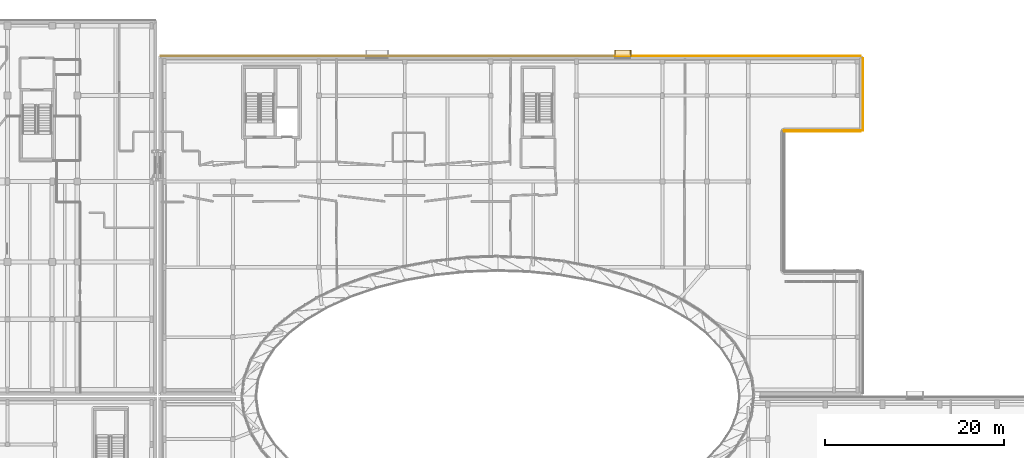
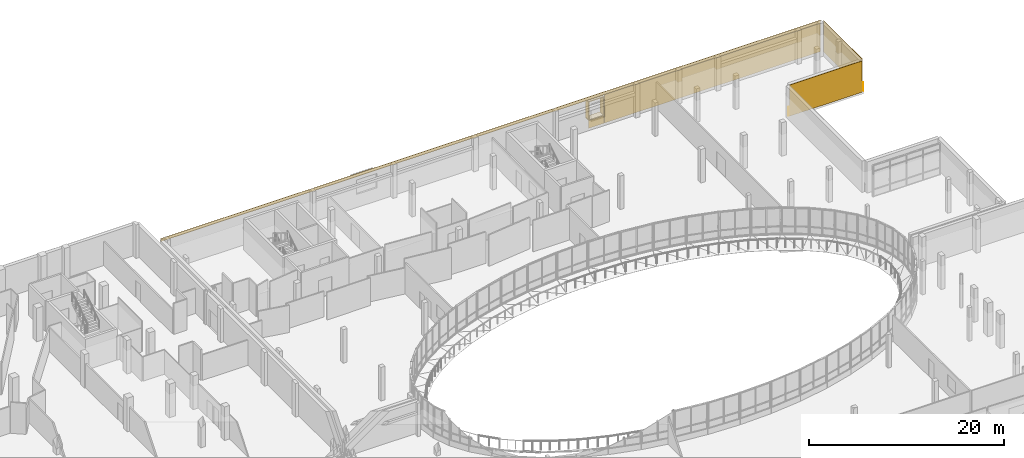
# One storey, part 81 of 84: 9 coverings, 1 railing.
"""IFC4 building model written with IfcOpenShell, lengths in metres."""

from ifc_helpers import new_model, si_unit, direction, frame, origin, origin_2d, place, context, subcontext, project, spatial, rectangle, circle, extrude, material, layer, layer_set, type_object, element, save


model = new_model("IFC4")

# Units and contexts
model_context = context("Model", 3, precision=1e-05, world=origin(), true_north=direction((0.0, 1.0)))
body_context = subcontext(model_context, "Body", "Model", "MODEL_VIEW")
ifc_project = project(units=[si_unit("LENGTHUNIT", "METRE"), si_unit("AREAUNIT", "SQUARE_METRE"), si_unit("VOLUMEUNIT", "CUBIC_METRE"), si_unit("PLANEANGLEUNIT", "RADIAN"), si_unit("MASSUNIT", "GRAM", prefix="KILO")], contexts=[model_context])

# Site, building, storey
site_placement = place(None, origin())
site = spatial("IfcSite", under=ifc_project, at=site_placement, CompositionType="ELEMENT")
building_placement = place(site_placement, origin())
building = spatial("IfcBuilding", under=site, at=building_placement, Name="Mzevani Central Library", CompositionType="ELEMENT")
storey_placement = place(building_placement, frame((0.0, 0.0, 5.39990234375)))
storey = spatial("IfcBuildingStorey", under=building, at=storey_placement, Name="L01", CompositionType="ELEMENT", Elevation=5.39990234375)

# Railing
ifc_material_1 = material(Name="Brushed stainless steel rail", Category="steel")
railing_type = type_object("IfcRailingType", Name="Interior Gallery and Stair Guard 1100", PredefinedType="BALUSTRADE", material=ifc_material_1)
railing_placement = place(storey_placement, frame((116.0, 105.699951171875, 0.0)))
element("IfcRailing", 1, at=railing_placement, inside=storey, type_object=railing_type, Name="L01 V3 Double-Height Void Guard 11", PredefinedType="BALUSTRADE", context=body_context, shape_type="SweptSolid", body=[
    extrude(circle(Radius=0.02392578125, at=origin_2d()), frame((0.0, 0.0, 1.076171875), z_axis=(1.0, 0.0, 0.0), x_axis=(0.0, 1.0, 0.0)), (0.0, 0.0, 1.0), 8.85009765625),
    extrude(circle(Radius=0.02099609375, at=origin_2d()), origin(), (0.0, 0.0, 1.0), 1.052001953125),
    extrude(circle(Radius=0.02099609375, at=origin_2d()), frame((1.106201171875, 0.0, 0.0)), (0.0, 0.0, 1.0), 1.052001953125),
    extrude(circle(Radius=0.02099609375, at=origin_2d()), frame((2.21240234375, 0.0, 0.0)), (0.0, 0.0, 1.0), 1.052001953125),
    extrude(circle(Radius=0.02099609375, at=origin_2d()), frame((3.31884765625, 0.0, 0.0)), (0.0, 0.0, 1.0), 1.052001953125),
    extrude(circle(Radius=0.02099609375, at=origin_2d()), frame((4.425048828125, 0.0, 0.0)), (0.0, 0.0, 1.0), 1.052001953125),
    extrude(circle(Radius=0.02099609375, at=origin_2d()), frame((5.53125, 0.0, 0.0)), (0.0, 0.0, 1.0), 1.052001953125),
    extrude(circle(Radius=0.02099609375, at=origin_2d()), frame((6.6376953125, 0.0, 0.0)), (0.0, 0.0, 1.0), 1.052001953125),
    extrude(circle(Radius=0.02099609375, at=origin_2d()), frame((7.743896484375, 0.0, 0.0)), (0.0, 0.0, 1.0), 1.052001953125),
    extrude(circle(Radius=0.02099609375, at=origin_2d()), frame((8.85009765625, 0.0, 0.0)), (0.0, 0.0, 1.0), 1.052001953125),
])

# Coverings
ifc_material_2 = material(Name="Limestone ashlar cladding", Category="masonry")
ifc_layer = layer(ifc_material_2, 0.050048828125, Name="Limestone Ashlar Spandrel Cladding")
ifc_layer_set = layer_set([ifc_layer], Name="Limestone ashlar cladding")
covering_type = type_object("IfcCoveringType", Name="Limestone Ashlar Spandrel Cladding", PredefinedType="CLADDING", material=ifc_layer_set)
for number, where, z_axis, x_axis, name in (
    (2, (97.981201171875, 114.337890625, 3.25), (0.0, 0.0, 1.0), (1.0, 0.0, 0.0), "L01 Deep Window Reveal HD (REV4-0125)"),
    (3, (97.981201171875, 114.337890625, 0.9599609375), (0.0, 0.0, 1.0), (1.0, 0.0, 0.0), "L01 Deep Window Reveal SL (REV4-0125)"),
):
    element("IfcCovering", number, at=place(storey_placement, frame(where, z_axis=z_axis, x_axis=x_axis)), inside=storey, type_object=covering_type, Name=name, PredefinedType="CLADDING", context=body_context, shape_type="SweptSolid", body=[
        extrude(rectangle(XDim=1.830078125, YDim=0.679931640625, at=origin_2d()), origin(), (0.0, 0.0, 1.0), 0.090087890625),
    ])
for number, where, z_axis, x_axis, name in (
    (4, (97.111083984375, 114.337890625, 1.05029296875), (0.0, 0.0, 1.0), (1.0, 0.0, 0.0), "L01 Deep Window Reveal JL (REV4-0125)"),
    (5, (98.851318359375, 114.337890625, 1.05029296875), (0.0, 0.0, 1.0), (1.0, 0.0, 0.0), "L01 Deep Window Reveal JR (REV4-0125)"),
):
    element("IfcCovering", number, at=place(storey_placement, frame(where, z_axis=z_axis, x_axis=x_axis)), inside=storey, type_object=covering_type, Name=name, PredefinedType="CLADDING", context=body_context, shape_type="SweptSolid", body=[
        extrude(rectangle(XDim=0.090087890625, YDim=0.679931640625, at=origin_2d()), origin(), (0.0, 0.0, 1.0), 2.199951171875),
    ])
covering_1_placement = place(storey_placement, frame((85.449951171875, 114.02392578125, 3.550048828125), z_axis=(0.0, 0.0, 1.0), x_axis=(1.0, 0.0, 0.0)))
element("IfcCovering", 6, at=covering_1_placement, inside=storey, type_object=covering_type, Name="L01 Warm-White Facade Spandrel (EW4-V3-L01-0045)", PredefinedType="CLADDING", context=body_context, shape_type="SweptSolid", body=[
    extrude(rectangle(XDim=78.280029296875, YDim=0.050048828125, at=origin_2d()), origin(), (0.0, 0.0, 1.0), 0.3701171875),
])
covering_2_placement = place(storey_placement, frame((97.981201171875, 114.02392578125, 0.0), z_axis=(0.0, 0.0, 1.0), x_axis=(1.0, 0.0, 0.0)))
element("IfcCovering", 7, at=covering_2_placement, inside=storey, type_object=covering_type, Name="L01 Warm-White Sill Cladding 4 (EW4-V3-L01-0045)", PredefinedType="CLADDING", context=body_context, shape_type="SweptSolid", body=[
    extrude(rectangle(XDim=1.85009765625, YDim=0.050048828125, at=origin_2d()), origin(), (0.0, 0.0, 1.0), 0.949951171875),
])
covering_3_placement = place(storey_placement, frame((111.758056640625, 114.02392578125, 0.0), z_axis=(0.0, 0.0, 1.0), x_axis=(1.0, 0.0, 0.0)))
element("IfcCovering", 8, at=covering_3_placement, inside=storey, type_object=covering_type, Name="L01 Warm-White Facade Pier 5 (EW4-V3-L01-0045)", PredefinedType="CLADDING", context=body_context, shape_type="SweptSolid", body=[
    extrude(rectangle(XDim=25.663818359375, YDim=0.050048828125, at=origin_2d()), origin(), (0.0, 0.0, 1.0), 3.550048828125),
])
covering_4_placement = place(storey_placement, frame((124.823974609375, 109.800048828125, 0.000244140625), z_axis=(0.0, 0.0, 1.0), x_axis=(0.0, -1.0, 0.0)))
element("IfcCovering", 9, at=covering_4_placement, inside=storey, type_object=covering_type, Name="L01 Warm-White Facade Cladding (EW4-V3-L01-0046)", PredefinedType="CLADDING", context=body_context, shape_type="SweptSolid", body=[
    extrude(rectangle(XDim=7.97998046875, YDim=0.050048828125, at=origin_2d()), origin(), (0.0, 0.0, 1.0), 3.919921875),
])
covering_5_placement = place(storey_placement, frame((120.304931640625, 105.575927734375, 0.000244140625), z_axis=(0.0, 0.0, 1.0), x_axis=(-1.0, 0.0, 0.0)))
element("IfcCovering", 10, at=covering_5_placement, inside=storey, type_object=covering_type, Name="L01 Warm-White Facade Cladding (EW4-V3-L01-0047)", PredefinedType="CLADDING", context=body_context, shape_type="SweptSolid", body=[
    extrude(rectangle(XDim=8.570068359375, YDim=0.050048828125, at=origin_2d()), origin(), (0.0, 0.0, 1.0), 3.919921875),
])

save(model, "model.ifc")
